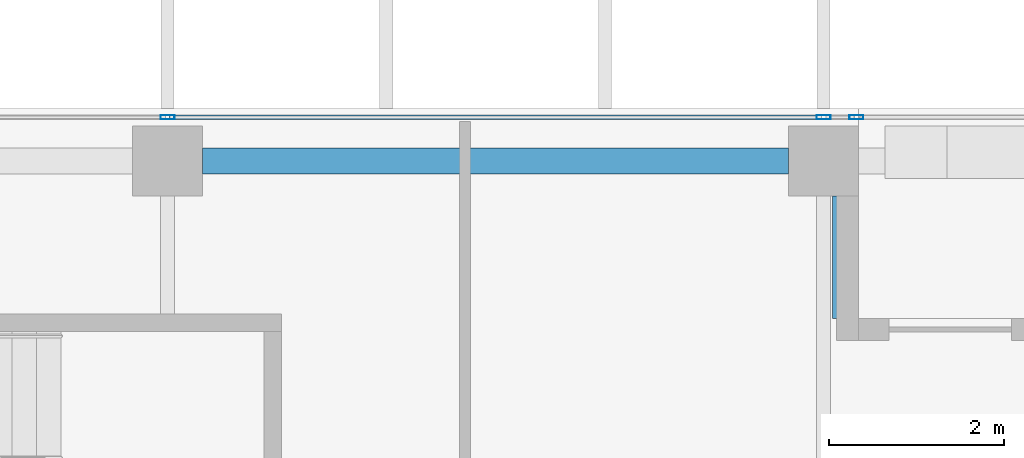
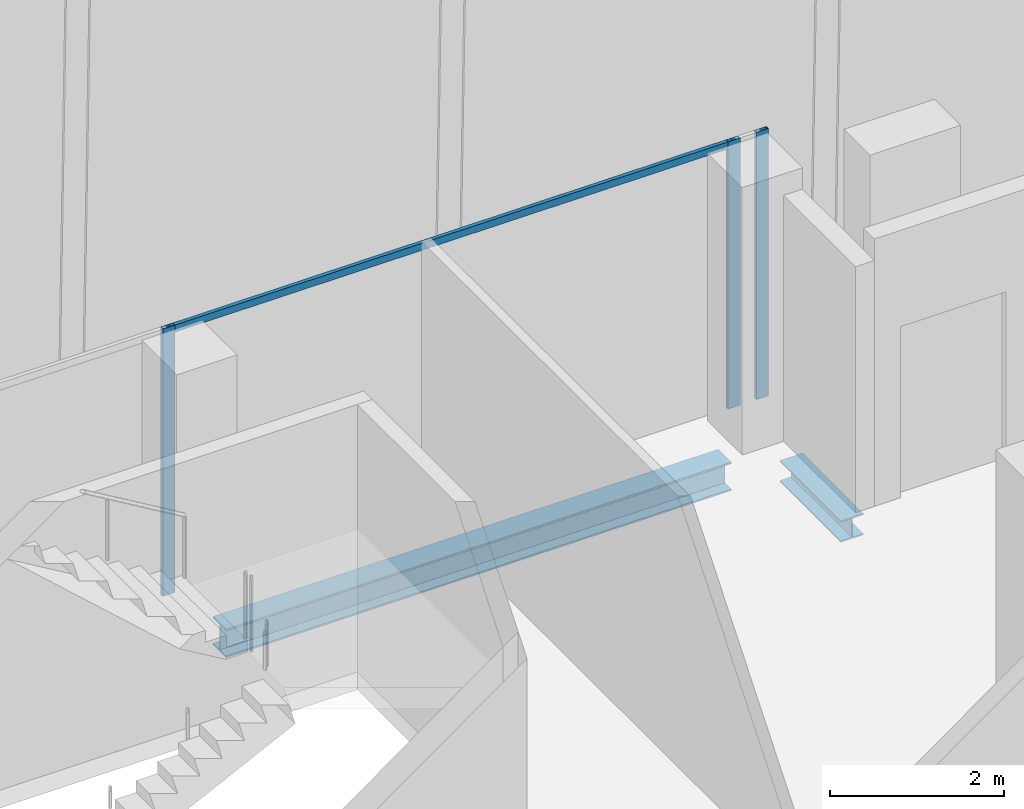
# One storey, part 16 of 33: 4 members, 2 beams, 1 element without a shape of its own.
"""IFC4 building model written with IfcOpenShell, lengths in metres."""

import ifcopenshell
import ifcopenshell.guid

model = None  # the IFC model being written
_history = None  # IfcOwnerHistory: only IFC2X3 demands one
_inside = {}  # id of a spatial element -> (the spatial element, [elements in it])
_under = {}  # id of a project, library or spatial element -> (it, [spatial elements below it])
_declared = {}  # id of a project -> (the project, [libraries it declares])
_typed = {}  # id of a type object -> (the type object, [elements of that type])
_made_of = {}  # id of a material, layer set ... -> (it, [elements and type objects made of it])


def new_model(schema):
    """Start an empty IFC model of exactly this schema.

    Asked for "IFC4X3", IfcOpenShell would pick the latest addendum, in which some entities
    have other attributes; the version numbers below select the first issue.
    IFC2X3 requires an IfcOwnerHistory on every rooted entity: one is made here for all.
    """
    global model, _history
    if schema == "IFC4X3":
        model = ifcopenshell.file(schema_version=(4, 3, 0, 0))
    else:
        model = ifcopenshell.file(schema=schema)
    _inside.clear()
    _under.clear()
    _declared.clear()
    _typed.clear()
    _made_of.clear()
    _history = None
    if model.schema == "IFC2X3":
        org = make("IfcOrganization", Name="unknown")
        user = make(
            "IfcPersonAndOrganization",
            ThePerson=make("IfcPerson", FamilyName="unknown"),
            TheOrganization=org,
        )
        app = make(
            "IfcApplication",
            ApplicationDeveloper=org,
            Version="unknown",
            ApplicationFullName="unknown",
            ApplicationIdentifier="unknown",
        )
        _history = make(
            "IfcOwnerHistory",
            OwningUser=user,
            OwningApplication=app,
            ChangeAction="ADDED",
            CreationDate=0,
        )
    return model


def make(cls, **values):
    """One entity of the class cls with the attributes given. An attribute that is None is left unset."""
    return model.create_entity(
        cls, **{name: value for name, value in values.items() if value is not None}
    )


def rooted(cls, **values):
    """An entity with a GlobalId (a new one), such as an element, a storey or a relation."""
    return make(cls, GlobalId=ifcopenshell.guid.new(), OwnerHistory=_history, **values)


def si_unit(unit_type, name, prefix=None):
    """IfcSIUnit, for example si_unit("LENGTHUNIT", "METRE", prefix="MILLI")."""
    return make("IfcSIUnit", UnitType=unit_type, Prefix=prefix, Name=name)


def assignment(units):
    """IfcUnitAssignment: the units of a project."""
    return None if units is None else make("IfcUnitAssignment", Units=units)


def point(xyz):
    """IfcCartesianPoint."""
    return None if xyz is None else make("IfcCartesianPoint", Coordinates=xyz)


def direction(xyz):
    """IfcDirection."""
    return None if xyz is None else make("IfcDirection", DirectionRatios=xyz)


def frame(location, z_axis=None, x_axis=None):
    """IfcAxis2Placement3D, a coordinate frame: its origin and axes. An axis left out is left unset."""
    return make(
        "IfcAxis2Placement3D",
        Location=point(location),
        Axis=direction(z_axis),
        RefDirection=direction(x_axis),
    )


def frame_2d(location, x_axis=None):
    """IfcAxis2Placement2D, a coordinate frame in the plane: its origin and x axis."""
    return make(
        "IfcAxis2Placement2D", Location=point(location), RefDirection=direction(x_axis)
    )


def origin():
    """The frame at (0, 0, 0) with its axes left unset."""
    return frame((0.0, 0.0, 0.0))


def origin_2d():
    """The frame at (0, 0) in the plane with its x axis left unset."""
    return frame_2d((0.0, 0.0))


def place(relative_to, where):
    """IfcLocalPlacement: puts the frame where relative to a parent placement (None: the world)."""
    return make(
        "IfcLocalPlacement", PlacementRelTo=relative_to, RelativePlacement=where
    )


def context(
    kind, dimensions, precision=None, world=None, true_north=None, identifier=None
):
    """IfcGeometricRepresentationContext, for example the 3D "Model" context."""
    return make(
        "IfcGeometricRepresentationContext",
        ContextIdentifier=identifier,
        ContextType=kind,
        CoordinateSpaceDimension=dimensions,
        Precision=precision,
        WorldCoordinateSystem=world,
        TrueNorth=true_north,
    )


def subcontext(parent, identifier, kind, view, scale=None):
    """IfcGeometricRepresentationSubContext, for example "Body" below "Model"."""
    return make(
        "IfcGeometricRepresentationSubContext",
        ContextIdentifier=identifier,
        ContextType=kind,
        ParentContext=parent,
        TargetScale=scale,
        TargetView=view,
    )


def project(units=None, contexts=None):
    """IfcProject with its units and contexts."""
    return rooted(
        "IfcProject",
        Name="project",
        RepresentationContexts=contexts,
        UnitsInContext=assignment(units),
    )


def spatial(cls, under=None, at=None, **own):
    """A site, building, storey or space (cls), placed at a placement, below another one or the project."""
    s = rooted(cls, ObjectPlacement=at, **own)
    if under is not None:
        _under.setdefault(under.id(), (under, []))[1].append(s)
    return s


def profile(cls, at=None, kind="AREA", **sizes):
    """A parametric profile (cls). Its sizes go by their IFC names, for example OverallWidth=200.0."""
    return make(cls, ProfileType=kind, Position=at, **sizes)


def hollow_rectangle(**sizes):
    """IfcRectangleHollowProfileDef."""
    return profile("IfcRectangleHollowProfileDef", **sizes)


def i_section(**sizes):
    """IfcIShapeProfileDef."""
    return profile("IfcIShapeProfileDef", **sizes)


def extrude(swept, where, along, depth):
    """IfcExtrudedAreaSolid: the profile swept, set in the frame where, extruded along a direction by depth."""
    return make(
        "IfcExtrudedAreaSolid",
        SweptArea=swept,
        Position=where,
        ExtrudedDirection=direction(along),
        Depth=depth,
    )


def shape(context_of_items, identifier, shape_type, items):
    """IfcShapeRepresentation: the items that make up one representation, for example the "Body"."""
    return make(
        "IfcShapeRepresentation",
        ContextOfItems=context_of_items,
        RepresentationIdentifier=identifier,
        RepresentationType=shape_type,
        Items=items,
    )


def source(mapping_origin, context_of_items, identifier, shape_type, items):
    """IfcRepresentationMap: a shape defined once, which mapped items show again and again."""
    return make(
        "IfcRepresentationMap",
        MappingOrigin=mapping_origin,
        MappedRepresentation=shape(context_of_items, identifier, shape_type, items),
    )


def transform(
    local_origin,
    x_axis=None,
    y_axis=None,
    z_axis=None,
    scale=None,
    scale2=None,
    scale3=None,
    uniform=True,
):
    """IfcCartesianTransformationOperator3D, or its non-uniform kind. x_axis, y_axis, z_axis: its Axis1, 2, 3."""
    if uniform:
        return make(
            "IfcCartesianTransformationOperator3D",
            Axis1=direction(x_axis),
            Axis2=direction(y_axis),
            LocalOrigin=point(local_origin),
            Scale=scale,
            Axis3=direction(z_axis),
        )
    return make(
        "IfcCartesianTransformationOperator3DnonUniform",
        Axis1=direction(x_axis),
        Axis2=direction(y_axis),
        LocalOrigin=point(local_origin),
        Scale=scale,
        Axis3=direction(z_axis),
        Scale2=scale2,
        Scale3=scale3,
    )


def mapped(mapping_source, mapping_target):
    """IfcMappedItem: shows the shape of a source again, moved by a transform."""
    return make(
        "IfcMappedItem", MappingSource=mapping_source, MappingTarget=mapping_target
    )


def material(Name=None, Category=None):
    """IfcMaterial."""
    return make("IfcMaterial", Name=Name, Category=Category)


def material_profile(
    of_material, cross_section, Name=None, Category=None, Priority=None
):
    """IfcMaterialProfile: a cross section and its material."""
    return make(
        "IfcMaterialProfile",
        Name=Name,
        Material=of_material,
        Profile=cross_section,
        Priority=Priority,
        Category=Category,
    )


def profile_set(profiles, Name=None, composite=None):
    """IfcMaterialProfileSet."""
    return make(
        "IfcMaterialProfileSet",
        Name=Name,
        MaterialProfiles=profiles,
        CompositeProfile=composite,
    )


def made_of(thing, what):
    """Note that an element or type object is made of a material, layer set ...; save() writes the relation."""
    if what is not None:
        _made_of.setdefault(what.id(), (what, []))[1].append(thing)
    return thing


def type_object(cls, material=None, **own):
    """A type object (cls), such as IfcWallType, which elements share."""
    return made_of(rooted(cls, **own), material)


def element(
    cls,
    number,
    at=None,
    inside=None,
    cuts=None,
    type_object=None,
    material=None,
    context=None,
    identifier="Body",
    shape_type=None,
    held_by="IfcProductDefinitionShape",
    body=None,
    shapes=None,
    **own,
):
    """One element of the class cls, such as IfcWall. Its Tag is "e" and its number.

    at: its placement. inside: the storey or other place that contains it. cuts: it is an
    opening in that element (IfcRelVoidsElement). A single representation is given by context,
    identifier, shape_type and body (its items); several are given by shapes. held_by: the class
    of the entity that holds the representations. save() writes the other relations.
    """
    e = rooted(cls, Tag="e%d" % number, ObjectPlacement=at, **own)
    if body is not None:
        shapes = [shape(context, identifier, shape_type, body)]
    if shapes is not None:
        e.Representation = make(held_by, Representations=shapes)
    if inside is not None:
        _inside.setdefault(inside.id(), (inside, []))[1].append(e)
    if cuts is not None:
        rooted(
            "IfcRelVoidsElement", RelatingBuildingElement=cuts, RelatedOpeningElement=e
        )
    if type_object is not None:
        _typed.setdefault(type_object.id(), (type_object, []))[1].append(e)
    return made_of(e, material)


def aggregate(whole, parts):
    """IfcRelAggregates: a whole, such as a stair, and the parts it consists of."""
    return rooted("IfcRelAggregates", RelatingObject=whole, RelatedObjects=parts)


def save(model, path):
    """Write the relations noted so far, then the file.

    IfcRelAggregates (storeys below a building ...), IfcRelContainedInSpatialStructure (elements
    in a storey), IfcRelDefinesByType, IfcRelAssociatesMaterial and IfcRelDeclares: one each for
    every whole, place, type object, material and project.
    """
    for whole, parts in _under.values():
        aggregate(whole, parts)
    for where, things in _inside.values():
        rooted(
            "IfcRelContainedInSpatialStructure",
            RelatedElements=things,
            RelatingStructure=where,
        )
    for kind, things in _typed.values():
        rooted("IfcRelDefinesByType", RelatedObjects=things, RelatingType=kind)
    for what, things in _made_of.values():
        rooted("IfcRelAssociatesMaterial", RelatedObjects=things, RelatingMaterial=what)
    for by, libraries in _declared.values():
        rooted("IfcRelDeclares", RelatingContext=by, RelatedDefinitions=libraries)
    model.write(path)


model = new_model("IFC4")

# Units and contexts
model_context = context("Model", 3, precision=1e-05, world=origin(), true_north=direction((0.0, 1.0)))
body_context = subcontext(model_context, "Body", "Model", "MODEL_VIEW")
ifc_project = project(units=[si_unit("LENGTHUNIT", "METRE"), si_unit("AREAUNIT", "SQUARE_METRE"), si_unit("VOLUMEUNIT", "CUBIC_METRE"), si_unit("PLANEANGLEUNIT", "RADIAN"), si_unit("MASSUNIT", "GRAM", prefix="KILO")], contexts=[model_context])

# Site, building, storey
site_placement = place(None, origin())
site = spatial("IfcSite", under=ifc_project, at=site_placement, CompositionType="ELEMENT")
building_placement = place(site_placement, origin())
building = spatial("IfcBuilding", under=site, at=building_placement, Name="Khomas Fold Tower", CompositionType="ELEMENT")
storey_placement = place(building_placement, frame((0.0, 0.0, 294.199951171875)))
storey = spatial("IfcBuildingStorey", under=building, at=storey_placement, Name="L66", CompositionType="ELEMENT", Elevation=294.199951171875)

# Beams
ifc_material_1 = material(Name="Steel S355", Category="steel")
ifc_material_profile_1 = material_profile(ifc_material_1, i_section(OverallWidth=0.300048828125, OverallDepth=0.39990234375, WebThickness=0.013427734375, FlangeThickness=0.02392578125, at=origin_2d()), Name="HE 400 B")
ifc_profile_set_1 = profile_set([ifc_material_profile_1], Name="Steel S355")
beam_type_1 = type_object("IfcBeamType", Name="HE 400 B spandrel SB5", PredefinedType="SPANDREL", material=ifc_profile_set_1)
shared_shape_1 = source(origin(), body_context, "Body", "SweptSolid", [
    extrude(i_section(OverallWidth=0.300048828125, OverallDepth=0.39990234375, WebThickness=0.013427734375, FlangeThickness=0.02392578125, at=origin_2d()), origin(), (0.0, 0.0, 1.0), 6.7001953125),
])
beam_1_placement = place(storey_placement, frame((27.39990234375, 47.39990234375, -0.449951171875), z_axis=(1.0, 0.0, 0.0), x_axis=(0.0, 1.0, 0.0)))
element("IfcBeam", 1, at=beam_1_placement, inside=storey, type_object=beam_type_1, Name="SB5", PredefinedType="SPANDREL", context=body_context, shape_type="MappedRepresentation", body=[
    mapped(shared_shape_1, transform((0.0, 0.0, 0.0))),
])
ifc_material_2 = material(Name="Steel S355", Category="steel")
ifc_material_profile_2 = material_profile(ifc_material_2, i_section(OverallWidth=0.300048828125, OverallDepth=0.300048828125, WebThickness=0.010986328125, FlangeThickness=0.01904296875, at=origin_2d()), Name="HE 300 B")
ifc_profile_set_2 = profile_set([ifc_material_profile_2], Name="Steel S355")
beam_type_2 = type_object("IfcBeamType", Name="HE 300 B beam BB1", PredefinedType="BEAM", material=ifc_profile_set_2)
shared_shape_2 = source(origin(), body_context, "Body", "SweptSolid", [
    extrude(i_section(OverallWidth=0.300048828125, OverallDepth=0.300048828125, WebThickness=0.010986328125, FlangeThickness=0.01904296875, at=origin_2d()), origin(), (0.0, 0.0, 1.0), 1.39990234375),
])
beam_2_placement = place(storey_placement, frame((34.75, 45.60009765625, -0.39990234375), z_axis=(0.0, 1.0, 0.0), x_axis=(-1.0, 0.0, 0.0)))
element("IfcBeam", 2, at=beam_2_placement, inside=storey, type_object=beam_type_2, Name="BB1", PredefinedType="BEAM", context=body_context, shape_type="MappedRepresentation", body=[
    mapped(shared_shape_2, transform((0.0, 0.0, 0.0))),
])

# Curtain wall, members
ifc_material_3 = material(Name="Aluminium framed double glazing", Category="aluminium")
curtain_wall_type = type_object("IfcCurtainWallType", Name="SK-Unitised clear-glass wall, upper floors CW3", PredefinedType="NOTDEFINED", material=ifc_material_3)
curtain_wall_placement = place(storey_placement, origin())
curtain_wall = element("IfcCurtainWall", 3, at=curtain_wall_placement, inside=storey, type_object=curtain_wall_type, Name="CW3 run L66 06-1", PredefinedType="NOTDEFINED")
ifc_material_4 = material(Name="Aluminium", Category="aluminium")
ifc_material_profile_3 = material_profile(ifc_material_4, hollow_rectangle(XDim=0.050048828125, YDim=0.159912109375, WallThickness=0.00390625, at=origin_2d()), Name="SK-Unitised clear-glass wall, upper floors mullion CW3-M")
ifc_profile_set_3 = profile_set([ifc_material_profile_3], Name="Aluminium")
member_type_1 = type_object("IfcMemberType", Name="SK-Unitised clear-glass wall, upper floors mullion CW3-M", PredefinedType="MULLION", material=ifc_profile_set_3)
shared_shape_3 = source(origin(), body_context, "Body", "SweptSolid", [
    extrude(hollow_rectangle(XDim=0.050048828125, YDim=0.159912109375, WallThickness=0.00390625, at=origin_2d()), origin(), (0.0, 0.0, 1.0), 3.75),
])
member_1_placement = place(storey_placement, frame((34.875, 47.89990234375, 0.0), z_axis=(0.0, 0.0, 1.0), x_axis=(0.0, -1.0, 0.0)))
member_1 = element("IfcMember", 4, at=member_1_placement, type_object=member_type_1, Name="CW3 mullion 1", PredefinedType="MULLION", context=body_context, shape_type="MappedRepresentation", body=[
    mapped(shared_shape_3, transform((0.0, 0.0, 0.0))),
])
member_2_placement = place(storey_placement, frame((34.5, 47.89990234375, 0.0), z_axis=(0.0, 0.0, 1.0), x_axis=(0.0, -1.0, 0.0)))
member_2 = element("IfcMember", 5, at=member_2_placement, type_object=member_type_1, Name="CW3 mullion 2", PredefinedType="MULLION", context=body_context, shape_type="MappedRepresentation", body=[
    mapped(shared_shape_3, transform((0.0, 0.0, 0.0))),
])
member_3_placement = place(storey_placement, frame((27.0, 47.89990234375, 0.0), z_axis=(0.0, 0.0, 1.0), x_axis=(0.0, -1.0, 0.0)))
member_3 = element("IfcMember", 6, at=member_3_placement, type_object=member_type_1, Name="CW3 mullion 3", PredefinedType="MULLION", context=body_context, shape_type="MappedRepresentation", body=[
    mapped(shared_shape_3, transform((0.0, 0.0, 0.0))),
])
ifc_material_5 = material(Name="Aluminium", Category="aluminium")
ifc_material_profile_4 = material_profile(ifc_material_5, hollow_rectangle(XDim=0.050048828125, YDim=0.10009765625, WallThickness=0.00390625, at=origin_2d()), Name="SK-Unitised clear-glass wall, upper floors transom CW3-T")
ifc_profile_set_4 = profile_set([ifc_material_profile_4], Name="Aluminium")
member_type_2 = type_object("IfcMemberType", Name="SK-Unitised clear-glass wall, upper floors transom CW3-T", PredefinedType="USERDEFINED", material=ifc_profile_set_4)
shared_shape_4 = source(origin(), body_context, "Body", "SweptSolid", [
    extrude(hollow_rectangle(XDim=0.050048828125, YDim=0.10009765625, WallThickness=0.00390625, at=origin_2d()), origin(), (0.0, 0.0, 1.0), 7.4501953125),
])
member_4_placement = place(storey_placement, frame((34.47509765625, 47.89990234375, 3.699951171875), z_axis=(-1.0, 0.0, 0.0), x_axis=(0.0, -1.0, 0.0)))
member_4 = element("IfcMember", 7, at=member_4_placement, type_object=member_type_2, Name="CW3 transom 2", ObjectType="TRANSOM", PredefinedType="USERDEFINED", context=body_context, shape_type="MappedRepresentation", body=[
    mapped(shared_shape_4, transform((0.0, 0.0, 0.0))),
])
aggregate(curtain_wall, [member_1, member_2, member_3, member_4])

save(model, "model.ifc")
